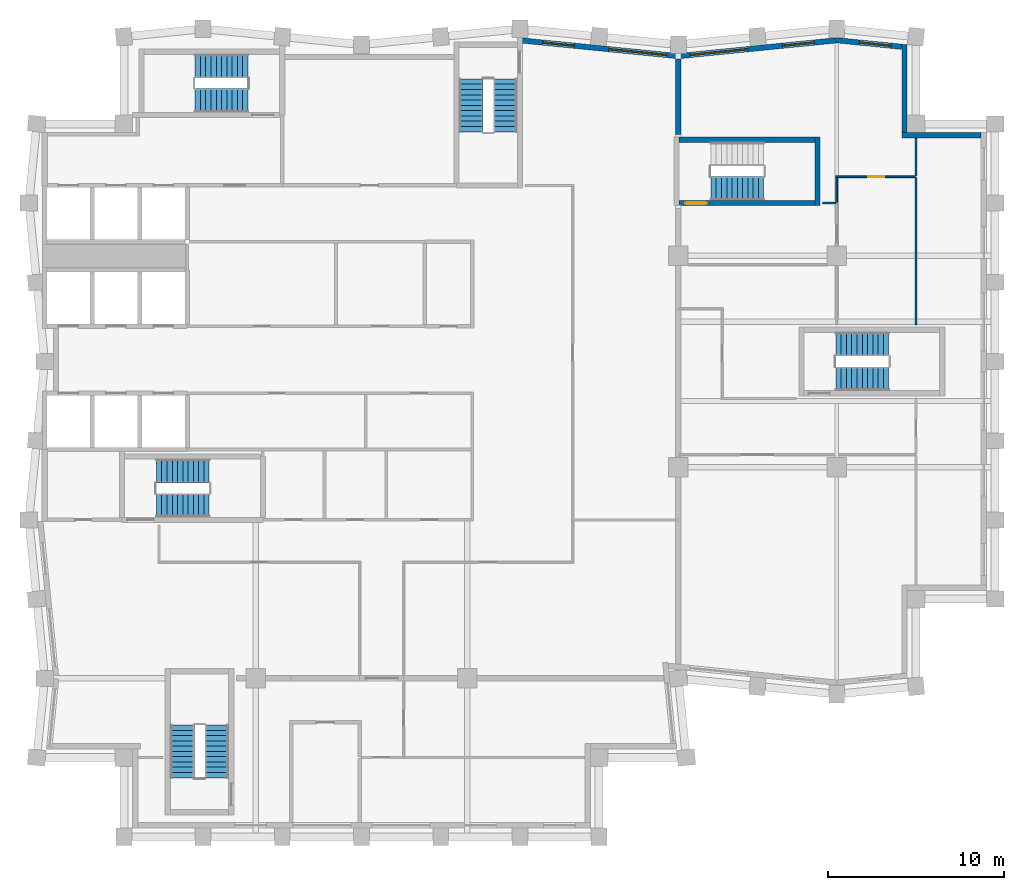
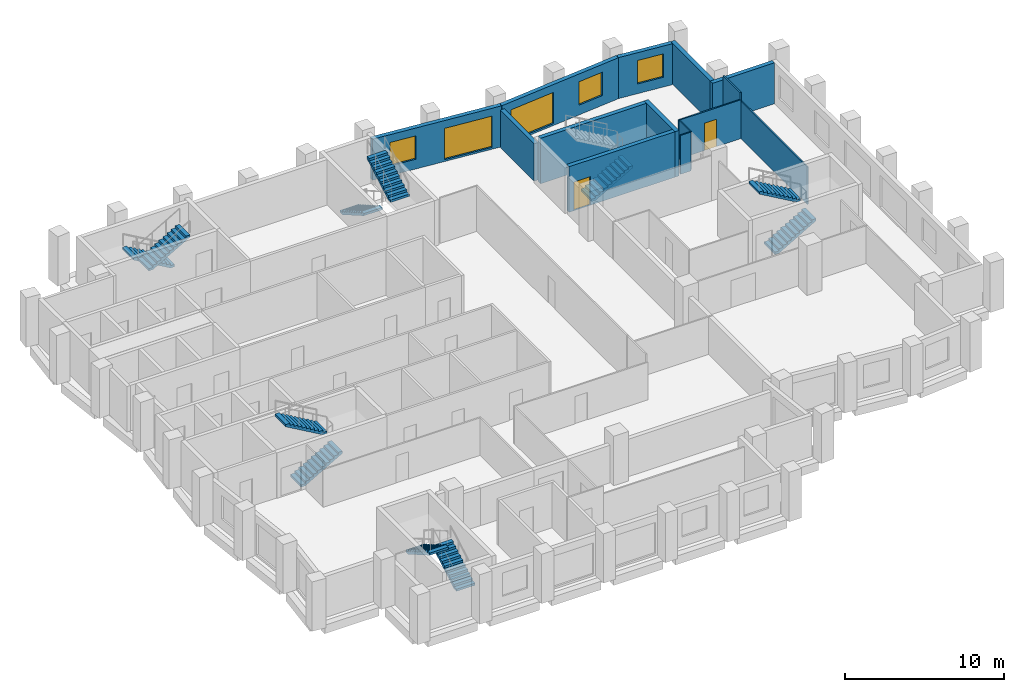
# One storey, part 6 of 8: 14 walls, 11 stair flights, 5 windows, 2 doors, 7 openings, 6 elements without a shape of their own.
"""IFC4 building model written with IfcOpenShell, lengths in metres."""

from ifc_helpers import new_model, si_unit, direction, frame, frame_2d, origin, place, context, subcontext, project, spatial, polyline, rectangle, outline, extrude, material, layer, layer_set, type_object, element, fill, aggregate, save


model = new_model("IFC4")

# Units and contexts
model_context = context("Model", 3, precision=1e-05, world=origin(), true_north=direction((0.0, 1.0)))
body_context = subcontext(model_context, "Body", "Model", "MODEL_VIEW")
ifc_project = project(units=[si_unit("LENGTHUNIT", "METRE"), si_unit("AREAUNIT", "SQUARE_METRE"), si_unit("VOLUMEUNIT", "CUBIC_METRE"), si_unit("PLANEANGLEUNIT", "RADIAN"), si_unit("MASSUNIT", "GRAM", prefix="KILO")], contexts=[model_context])

# Site, building, storey
site_placement = place(None, origin())
site = spatial("IfcSite", under=ifc_project, at=site_placement, CompositionType="ELEMENT")
building_placement = place(site_placement, origin())
building = spatial("IfcBuilding", under=site, at=building_placement, Name="Brondeck Convention Tower", CompositionType="ELEMENT")
storey_placement = place(building_placement, frame((0.0, 0.0, 236.800048828125)))
storey = spatial("IfcBuildingStorey", under=building, at=storey_placement, Name="L58", CompositionType="ELEMENT", Elevation=236.800048828125)

# Walls
ifc_material_1 = material(Name="Concrete compartment wall C30/37", Category="concrete")
ifc_layer_1 = layer(ifc_material_1, 0.300048828125)
ifc_layer_set_1 = layer_set([ifc_layer_1], Name="Compartment wall 300")
wall_type_1 = type_object("IfcWallType", Name="Compartment wall 300", PredefinedType="PARTITIONING", material=ifc_layer_set_1)
wall_1_placement = place(storey_placement, frame((36.0, 57.89990234375, 0.0), z_axis=(0.0, 0.0, 1.0), x_axis=(0.0, 1.0, 0.0)))
element("IfcWall", 1, at=wall_1_placement, inside=storey, type_object=wall_type_1, Name="FLR-L58-W049", PredefinedType="PARTITIONING", context=body_context, shape_type="SweptSolid", body=[
    extrude(rectangle(XDim=4.2763671875, YDim=0.300048828125, at=frame_2d((2.13818359375, 0.0))), origin(), (0.0, 0.0, 1.0), 2.8798828125),
])
ifc_material_2 = material(Name="Precast concrete C50/60 bronze finish", Category="concrete")
ifc_layer_2 = layer(ifc_material_2, 0.070068359375, Name="Bronze precast facing")
ifc_material_3 = material(Name="Mineral wool")
ifc_layer_3 = layer(ifc_material_3, 0.159912109375, Name="Insulation")
ifc_material_4 = material(Name="Concrete C35/45", Category="concrete")
ifc_layer_4 = layer(ifc_material_4, 0.070068359375, Name="Backing")
ifc_layer_set_2 = layer_set([ifc_layer_2, ifc_layer_3, ifc_layer_4], Name="External infill wall, precast concrete C50/60 bronze facing")
wall_type_2 = type_object("IfcWallType", Name="External infill wall, precast concrete C50/60 bronze facing", PredefinedType="SOLIDWALL", material=ifc_layer_set_2)
wall_2_placement = place(storey_placement, frame((48.699951171875, 57.85009765625, 0.0), z_axis=(0.0, 0.0, 1.0), x_axis=(1.0, 0.0, 0.0)))
element("IfcWall", 2, at=wall_2_placement, inside=storey, type_object=wall_type_2, Name="ENV-EW-L58-P2-NC-NEA54-01", PredefinedType="SOLIDWALL", context=body_context, shape_type="SweptSolid", body=[
    extrude(rectangle(XDim=4.501953125, YDim=0.300048828125, at=frame_2d((2.2509765625, 0.0))), origin(), (0.0, 0.0, 1.0), 3.14990234375),
])
wall_3_placement = place(storey_placement, frame((48.85009765625, 62.99755859375, 0.0), z_axis=(0.0, 0.0, 1.0), x_axis=(0.0, -1.0, 0.0)))
element("IfcWall", 3, at=wall_3_placement, inside=storey, type_object=wall_type_2, Name="ENV-EW-L58-P2-NC-NEA54-02", PredefinedType="SOLIDWALL", context=body_context, shape_type="SweptSolid", body=[
    extrude(rectangle(XDim=4.99951171875, YDim=0.300048828125, at=frame_2d((2.499755859375, 0.0))), origin(), (0.0, 0.0, 1.0), 3.14990234375),
])

# Wall, opening, window
wall_4_placement = place(storey_placement, frame((44.985107421875, 63.248291015625, 0.0), z_axis=(0.0, 0.0, 1.0), x_axis=(0.995037837869, -0.099497242219, 0.0)))
wall_4 = element("IfcWall", 4, at=wall_4_placement, inside=storey, type_object=wall_type_2, Name="ENV-EW-L58-P2-A-N-10", PredefinedType="SOLIDWALL", context=body_context, shape_type="SweptSolid", body=[
    extrude(rectangle(XDim=3.732177734375, YDim=0.300048828125, at=frame_2d((1.8662109375, 0.0))), origin(), (0.0, 0.0, 1.0), 3.14990234375),
])
opening_1_placement = place(wall_4_placement, frame((1.311279296875, 0.0, 0.75)))
opening_1 = element("IfcOpeningElement", 5, at=opening_1_placement, cuts=wall_4, Name="Opening W10", PredefinedType="OPENING", context=body_context, shape_type="SweptSolid", body=[
    extrude(rectangle(XDim=1.800048828125, YDim=1.800048828125, at=frame_2d((0.89990234375, 0.89990234375))), frame((0.0, 0.159912109375, 0.0), z_axis=(0.0, -1.0, 0.0), x_axis=(1.0, 0.0, 0.0)), (0.0, 0.0, 1.0), 0.320068359375),
])
ifc_material_5 = material(Name="Bronze tinted double glazing", Category="glass")
window_type_1 = type_object("IfcWindowType", Name="Punched window, bronze tinted", PartitioningType="SINGLE_PANEL", PredefinedType="WINDOW", material=ifc_material_5)
window_1_placement = place(opening_1_placement, origin())
window_1 = element("IfcWindow", 6, at=window_1_placement, inside=storey, type_object=window_type_1, Name="ENV-WN-L58-P2-A-N-10", OverallHeight=1.800048828125, OverallWidth=1.800048828125, PartitioningType="SINGLE_PANEL", PredefinedType="WINDOW", context=body_context, shape_type="SweptSolid", body=[
    extrude(rectangle(XDim=1.800048828125, YDim=1.800048828125, at=frame_2d((0.89990234375, 0.89990234375))), frame((0.0, 0.030029296875, 0.0), z_axis=(0.0, -1.0, 0.0), x_axis=(1.0, 0.0, 0.0)), (0.0, 0.0, 1.0), 0.06005859375),
])
fill(opening_1, window_1)

# Wall, openings, windows
wall_5_placement = place(storey_placement, frame((35.985107421875, 62.34521484375, 0.0), z_axis=(0.0, 0.0, 1.0), x_axis=(0.995035316196, 0.099522457379, 0.0)))
wall_5 = element("IfcWall", 7, at=wall_5_placement, inside=storey, type_object=wall_type_2, Name="ENV-EW-L58-P2-A-N-09", PredefinedType="SOLIDWALL", context=body_context, shape_type="SweptSolid", body=[
    extrude(rectangle(XDim=9.030029296875, YDim=0.300048828125, at=frame_2d((4.51513671875, 0.0))), origin(), (0.0, 0.0, 1.0), 3.14990234375),
])
opening_2_placement = place(wall_5_placement, frame((0.691162109375, 0.0, 0.14990234375)))
opening_2 = element("IfcOpeningElement", 8, at=opening_2_placement, cuts=wall_5, Name="Opening W9", PredefinedType="OPENING", context=body_context, shape_type="SweptSolid", body=[
    extrude(rectangle(XDim=3.300048828125, YDim=2.39990234375, at=frame_2d((1.64990234375, 1.199951171875))), frame((0.0, 0.159912109375, 0.0), z_axis=(0.0, -1.0, 0.0), x_axis=(1.0, 0.0, 0.0)), (0.0, 0.0, 1.0), 0.320068359375),
])
opening_3_placement = place(wall_5_placement, frame((5.963623046875, 0.0, 0.75)))
opening_3 = element("IfcOpeningElement", 9, at=opening_3_placement, cuts=wall_5, Name="Opening W10", PredefinedType="OPENING", context=body_context, shape_type="SweptSolid", body=[
    extrude(rectangle(XDim=1.800048828125, YDim=1.800048828125, at=frame_2d((0.89990234375, 0.89990234375))), frame((0.0, 0.159912109375, 0.0), z_axis=(0.0, -1.0, 0.0), x_axis=(1.0, 0.0, 0.0)), (0.0, 0.0, 1.0), 0.320068359375),
])
window_type_2 = type_object("IfcWindowType", Name="Glazed flute window, bronze tinted", PartitioningType="SINGLE_PANEL", PredefinedType="WINDOW", material=ifc_material_5)
window_2_placement = place(opening_2_placement, origin())
window_2 = element("IfcWindow", 10, at=window_2_placement, inside=storey, type_object=window_type_2, Name="ENV-WN-L58-P2-A-N-08", OverallHeight=2.39990234375, OverallWidth=3.300048828125, PartitioningType="SINGLE_PANEL", PredefinedType="WINDOW", context=body_context, shape_type="SweptSolid", body=[
    extrude(rectangle(XDim=3.300048828125, YDim=2.39990234375, at=frame_2d((1.64990234375, 1.199951171875))), frame((0.0, 0.030029296875, 0.0), z_axis=(0.0, -1.0, 0.0), x_axis=(1.0, 0.0, 0.0)), (0.0, 0.0, 1.0), 0.06005859375),
])
fill(opening_2, window_2)
window_3_placement = place(opening_3_placement, origin())
window_3 = element("IfcWindow", 11, at=window_3_placement, inside=storey, type_object=window_type_1, Name="ENV-WN-L58-P2-A-N-09", OverallHeight=1.800048828125, OverallWidth=1.800048828125, PartitioningType="SINGLE_PANEL", PredefinedType="WINDOW", context=body_context, shape_type="SweptSolid", body=[
    extrude(rectangle(XDim=1.800048828125, YDim=1.800048828125, at=frame_2d((0.89990234375, 0.89990234375))), frame((0.0, 0.030029296875, 0.0), z_axis=(0.0, -1.0, 0.0), x_axis=(1.0, 0.0, 0.0)), (0.0, 0.0, 1.0), 0.06005859375),
])
fill(opening_3, window_3)

wall_6_placement = place(storey_placement, frame((27.084716796875, 63.23828125, 0.0), z_axis=(0.0, 0.0, 1.0), x_axis=(0.995035836657, -0.099517253618, 0.0)))
wall_6 = element("IfcWall", 12, at=wall_6_placement, inside=storey, type_object=wall_type_2, Name="ENV-EW-L58-P2-A-N-07", PredefinedType="SOLIDWALL", context=body_context, shape_type="SweptSolid", body=[
    extrude(rectangle(XDim=8.929931640625, YDim=0.300048828125, at=frame_2d((4.46484375, 0.0))), origin(), (0.0, 0.0, 1.0), 3.14990234375),
])
opening_4_placement = place(wall_6_placement, frame((1.211181640625, 0.0, 0.75)))
opening_4 = element("IfcOpeningElement", 13, at=opening_4_placement, cuts=wall_6, Name="Opening W10", PredefinedType="OPENING", context=body_context, shape_type="SweptSolid", body=[
    extrude(rectangle(XDim=1.800048828125, YDim=1.800048828125, at=frame_2d((0.89990234375, 0.89990234375))), frame((0.0, 0.159912109375, 0.0), z_axis=(0.0, -1.0, 0.0), x_axis=(1.0, 0.0, 0.0)), (0.0, 0.0, 1.0), 0.320068359375),
])
opening_5_placement = place(wall_6_placement, frame((4.983642578125, 0.0, 0.14990234375)))
opening_5 = element("IfcOpeningElement", 14, at=opening_5_placement, cuts=wall_6, Name="Opening W9", PredefinedType="OPENING", context=body_context, shape_type="SweptSolid", body=[
    extrude(rectangle(XDim=3.300048828125, YDim=2.39990234375, at=frame_2d((1.64990234375, 1.199951171875))), frame((0.0, 0.159912109375, 0.0), z_axis=(0.0, -1.0, 0.0), x_axis=(1.0, 0.0, 0.0)), (0.0, 0.0, 1.0), 0.320068359375),
])
window_4_placement = place(opening_5_placement, origin())
window_4 = element("IfcWindow", 15, at=window_4_placement, inside=storey, type_object=window_type_2, Name="ENV-WN-L58-P2-A-N-07", OverallHeight=2.39990234375, OverallWidth=3.300048828125, PartitioningType="SINGLE_PANEL", PredefinedType="WINDOW", context=body_context, shape_type="SweptSolid", body=[
    extrude(rectangle(XDim=3.300048828125, YDim=2.39990234375, at=frame_2d((1.64990234375, 1.199951171875))), frame((0.0, 0.030029296875, 0.0), z_axis=(0.0, -1.0, 0.0), x_axis=(1.0, 0.0, 0.0)), (0.0, 0.0, 1.0), 0.06005859375),
])
fill(opening_5, window_4)
window_5_placement = place(opening_4_placement, origin())
window_5 = element("IfcWindow", 16, at=window_5_placement, inside=storey, type_object=window_type_1, Name="ENV-WN-L58-P2-A-N-06", OverallHeight=1.800048828125, OverallWidth=1.800048828125, PartitioningType="SINGLE_PANEL", PredefinedType="WINDOW", context=body_context, shape_type="SweptSolid", body=[
    extrude(rectangle(XDim=1.800048828125, YDim=1.800048828125, at=frame_2d((0.89990234375, 0.89990234375))), frame((0.0, 0.030029296875, 0.0), z_axis=(0.0, -1.0, 0.0), x_axis=(1.0, 0.0, 0.0)), (0.0, 0.0, 1.0), 0.06005859375),
])
fill(opening_4, window_5)

# Walls
ifc_material_6 = material(Name="Gypsum board partition on steel studs", Category="steel")
ifc_layer_5 = layer(ifc_material_6, 0.10009765625)
ifc_layer_set_3 = layer_set([ifc_layer_5], Name="Room partition 100")
wall_type_3 = type_object("IfcWallType", Name="Room partition 100", PredefinedType="PARTITIONING", material=ifc_layer_set_3)
wall_7_placement = place(storey_placement, frame((49.5, 47.10009765625, 0.0), z_axis=(0.0, 0.0, 1.0), x_axis=(0.0, 1.0, 0.0)))
element("IfcWall", 17, at=wall_7_placement, inside=storey, type_object=wall_type_3, Name="FLR-L58-W035", PredefinedType="PARTITIONING", context=body_context, shape_type="SweptSolid", body=[
    extrude(rectangle(XDim=8.349853515625, YDim=0.10009765625, at=frame_2d((4.1748046875, 0.0))), origin(), (0.0, 0.0, 1.0), 2.8798828125),
])
wall_8_placement = place(storey_placement, frame((44.199951171875, 54.0, 0.0), z_axis=(0.0, 0.0, 1.0), x_axis=(1.0, 0.0, 0.0)))
element("IfcWall", 18, at=wall_8_placement, inside=storey, type_object=wall_type_3, Name="FLR-L58-W043", PredefinedType="PARTITIONING", context=body_context, shape_type="SweptSolid", body=[
    extrude(rectangle(XDim=0.75, YDim=0.10009765625, at=frame_2d((0.375, 0.0))), origin(), (0.0, 0.0, 1.0), 2.97998046875),
])
wall_9_placement = place(storey_placement, frame((45.0, 54.050048828125, 0.0), z_axis=(0.0, 0.0, 1.0), x_axis=(0.0, 1.0, 0.0)))
element("IfcWall", 19, at=wall_9_placement, inside=storey, type_object=wall_type_3, Name="FLR-L58-W044", PredefinedType="PARTITIONING", context=body_context, shape_type="SweptSolid", body=[
    extrude(rectangle(XDim=1.39990234375, YDim=0.10009765625, at=frame_2d((0.699951171875, 0.0))), origin(), (0.0, 0.0, 1.0), 2.97998046875),
])

# Wall, opening, door
wall_10_placement = place(storey_placement, frame((44.949951171875, 55.5, 0.0), z_axis=(0.0, 0.0, 1.0), x_axis=(1.0, 0.0, 0.0)))
wall_10 = element("IfcWall", 20, at=wall_10_placement, inside=storey, type_object=wall_type_3, Name="FLR-L58-W047", PredefinedType="PARTITIONING", context=body_context, shape_type="SweptSolid", body=[
    extrude(rectangle(XDim=4.5, YDim=0.10009765625, at=frame_2d((2.25, 0.0))), origin(), (0.0, 0.0, 1.0), 2.97998046875),
])
opening_6_placement = place(wall_10_placement, frame((1.85009765625, 0.0, 0.0)))
opening_6 = element("IfcOpeningElement", 21, at=opening_6_placement, cuts=wall_10, Name="Opening OF-N-006", PredefinedType="OPENING", context=body_context, shape_type="SweptSolid", body=[
    extrude(rectangle(XDim=0.89990234375, YDim=2.10009765625, at=frame_2d((0.449951171875, 1.050048828125))), frame((0.0, 0.06005859375, 0.0), z_axis=(0.0, -1.0, 0.0), x_axis=(1.0, 0.0, 0.0)), (0.0, 0.0, 1.0), 0.1201171875),
])
ifc_material_7 = material(Name="Solid timber door leaf", Category="wood")
door_type_1 = type_object("IfcDoorType", Name="Single door 900", OperationType="NOTDEFINED", PredefinedType="DOOR", material=ifc_material_7)
door_1_placement = place(opening_6_placement, origin())
door_1 = element("IfcDoor", 22, at=door_1_placement, inside=storey, type_object=door_type_1, Name="Door OF-N-006", OperationType="SINGLE_SWING_LEFT", OverallHeight=2.10009765625, OverallWidth=0.89990234375, PredefinedType="DOOR", context=body_context, shape_type="SweptSolid", body=[
    extrude(rectangle(XDim=0.89990234375, YDim=2.10009765625, at=frame_2d((0.449951171875, 1.050048828125))), frame((0.0, 0.02490234375, 0.0), z_axis=(0.0, -1.0, 0.0), x_axis=(1.0, 0.0, 0.0)), (0.0, 0.0, 1.0), 0.050048828125),
])
fill(opening_6, door_1)

# Wall
wall_11_placement = place(storey_placement, frame((49.5, 55.550048828125, 0.0), z_axis=(0.0, 0.0, 1.0), x_axis=(0.0, 1.0, 0.0)))
element("IfcWall", 23, at=wall_11_placement, inside=storey, type_object=wall_type_3, Name="FLR-L58-W048", PredefinedType="PARTITIONING", context=body_context, shape_type="SweptSolid", body=[
    extrude(rectangle(XDim=2.1298828125, YDim=0.10009765625, at=frame_2d((1.06494140625, 0.0))), origin(), (0.0, 0.0, 1.0), 3.47998046875),
])

# Wall, opening, door
ifc_material_8 = material(Name="Concrete C50/60", Category="concrete")
ifc_layer_6 = layer(ifc_material_8, 0.300048828125)
ifc_layer_set_4 = layer_set([ifc_layer_6], Name="Stair enclosure wall 300 Concrete C50/60")
wall_type_4 = type_object("IfcWallType", Name="Stair enclosure wall 300 Concrete C50/60", PredefinedType="SHEAR", material=ifc_layer_set_4)
wall_12_placement = place(storey_placement, frame((36.050048828125, 54.0, 0.0), z_axis=(0.0, 0.0, 1.0), x_axis=(1.0, 0.0, 0.0)))
wall_12 = element("IfcWall", 24, at=wall_12_placement, inside=storey, type_object=wall_type_4, Name="L58 core wall", PredefinedType="SHEAR", context=body_context, shape_type="SweptSolid", body=[
    extrude(rectangle(XDim=7.699951171875, YDim=0.300048828125, at=frame_2d((3.85009765625, 0.0))), origin(), (0.0, 0.0, 1.0), 3.5),
])
opening_7_placement = place(wall_12_placement, frame((0.35009765625, 0.0, 0.0)))
opening_7 = element("IfcOpeningElement", 25, at=opening_7_placement, cuts=wall_12, Name="Opening C31-15", PredefinedType="OPENING", context=body_context, shape_type="SweptSolid", body=[
    extrude(rectangle(XDim=1.199951171875, YDim=2.199951171875, at=frame_2d((0.60009765625, 1.10009765625))), frame((0.0, 0.159912109375, 0.0), z_axis=(0.0, -1.0, 0.0), x_axis=(1.0, 0.0, 0.0)), (0.0, 0.0, 1.0), 0.320068359375),
])
ifc_material_9 = material(Name="Steel fire door", Category="steel")
door_type_2 = type_object("IfcDoorType", Name="Stair door 1200x2200 EI 90", OperationType="NOTDEFINED", PredefinedType="DOOR", material=ifc_material_9)
door_2_placement = place(opening_7_placement, origin())
door_2 = element("IfcDoor", 26, at=door_2_placement, inside=storey, type_object=door_type_2, Name="L58 Stair door ST-AE", OperationType="SINGLE_SWING_LEFT", OverallHeight=2.199951171875, OverallWidth=1.199951171875, PredefinedType="DOOR", context=body_context, shape_type="SweptSolid", body=[
    extrude(rectangle(XDim=1.199951171875, YDim=2.199951171875, at=frame_2d((0.60009765625, 1.10009765625))), frame((0.0, 0.02490234375, 0.0), z_axis=(0.0, -1.0, 0.0), x_axis=(1.0, 0.0, 0.0)), (0.0, 0.0, 1.0), 0.050048828125),
])
fill(opening_7, door_2)

# Walls
wall_13_placement = place(storey_placement, frame((36.050048828125, 57.60009765625, 0.0), z_axis=(0.0, 0.0, 1.0), x_axis=(1.0, 0.0, 0.0)))
element("IfcWall", 27, at=wall_13_placement, inside=storey, type_object=wall_type_4, Name="L58 core wall", PredefinedType="SHEAR", context=body_context, shape_type="SweptSolid", body=[
    extrude(rectangle(XDim=7.699951171875, YDim=0.300048828125, at=frame_2d((3.85009765625, 0.0))), origin(), (0.0, 0.0, 1.0), 3.5),
])
wall_14_placement = place(storey_placement, frame((43.89990234375, 53.85009765625, 0.0), z_axis=(0.0, 0.0, 1.0), x_axis=(0.0, 1.0, 0.0)))
element("IfcWall", 28, at=wall_14_placement, inside=storey, type_object=wall_type_4, Name="L58 core wall", PredefinedType="SHEAR", context=body_context, shape_type="SweptSolid", body=[
    extrude(rectangle(XDim=3.89990234375, YDim=0.300048828125, at=frame_2d((1.949951171875, 0.0))), origin(), (0.0, 0.0, 1.0), 3.5),
])

# Stair, stair flights
ifc_material_10 = material(Name="Precast concrete C50/60", Category="concrete")
stair_type = type_object("IfcStairType", Name="Core stair 22 risers 172.73 mm riser 300 mm going 1350 wide", PredefinedType="HALF_TURN_STAIR", material=ifc_material_10)
stair_1_placement = place(storey_placement, origin())
stair_1 = element("IfcStair", 29, at=stair_1_placement, inside=storey, type_object=stair_type, Name="ST-1 L58 stair", PredefinedType="HALF_TURN_STAIR")
stair_flight_type = type_object("IfcStairFlightType", Name="Core stair flight 22 risers 172.73 mm riser 300 mm going 1350 wide", PredefinedType="STRAIGHT", material=ifc_material_10)
stair_flight_1_placement = place(storey_placement, frame((6.35009765625, 36.824951171875, 0.0), z_axis=(0.0, 0.0, 1.0), x_axis=(1.0, 0.0, 0.0)))
stair_flight_1 = element("IfcStairFlight", 30, at=stair_flight_1_placement, type_object=stair_flight_type, Name="ST-1 flight 1", NumberOfRisers=11, NumberOfTreads=10, PredefinedType="STRAIGHT", RiserHeight=0.172727273, TreadLength=0.3, context=body_context, shape_type="SweptSolid", body=[
    extrude(outline(polyline([(0.0, 0.0), (0.0, 0.172607421875), (0.300048828125, 0.172607421875), (0.300048828125, 0.345458984375), (0.60009765625, 0.345458984375), (0.60009765625, 0.51806640625), (0.89990234375, 0.51806640625), (0.89990234375, 0.69091796875), (1.199951171875, 0.69091796875), (1.199951171875, 0.863525390625), (1.5, 0.863525390625), (1.5, 1.036376953125), (1.800048828125, 1.036376953125), (1.800048828125, 1.208984375), (2.10009765625, 1.208984375), (2.10009765625, 1.3818359375), (2.39990234375, 1.3818359375), (2.39990234375, 1.554443359375), (2.699951171875, 1.554443359375), (2.699951171875, 1.727294921875), (3.0, 1.727294921875), (3.0, 1.89990234375), (3.0, 1.55419921875), (0.300537109375, 0.0), (0.0, 0.0)])), frame((0.0, 0.675048828125, 0.0), z_axis=(0.0, -1.0, 0.0), x_axis=(1.0, 0.0, 0.0)), (0.0, 0.0, 1.0), 1.35009765625),
])
stair_flight_2_placement = place(storey_placement, frame((9.35009765625, 38.77490234375, 1.89990234375), z_axis=(0.0, 0.0, 1.0), x_axis=(-1.0, 0.0, 0.0)))
stair_flight_2 = element("IfcStairFlight", 31, at=stair_flight_2_placement, type_object=stair_flight_type, Name="ST-1 flight 2", NumberOfRisers=11, NumberOfTreads=10, PredefinedType="STRAIGHT", RiserHeight=0.172727273, TreadLength=0.3, context=body_context, shape_type="SweptSolid", body=[
    extrude(outline(polyline([(0.0, 0.0), (0.0, 0.172607421875), (0.300048828125, 0.172607421875), (0.300048828125, 0.345458984375), (0.60009765625, 0.345458984375), (0.60009765625, 0.51806640625), (0.89990234375, 0.51806640625), (0.89990234375, 0.69091796875), (1.199951171875, 0.69091796875), (1.199951171875, 0.863525390625), (1.5, 0.863525390625), (1.5, 1.036376953125), (1.800048828125, 1.036376953125), (1.800048828125, 1.208984375), (2.10009765625, 1.208984375), (2.10009765625, 1.3818359375), (2.39990234375, 1.3818359375), (2.39990234375, 1.554443359375), (2.699951171875, 1.554443359375), (2.699951171875, 1.727294921875), (3.0, 1.727294921875), (3.0, 1.89990234375), (3.0, 1.55419921875), (0.300537109375, 0.0), (0.0, 0.0)])), frame((0.0, 0.675048828125, 0.0), z_axis=(0.0, -1.0, 0.0), x_axis=(1.0, 0.0, 0.0)), (0.0, 0.0, 1.0), 1.35009765625),
])
aggregate(stair_1, [stair_flight_1, stair_flight_2])

stair_2_placement = place(storey_placement, origin())
stair_2 = element("IfcStair", 32, at=stair_2_placement, inside=storey, type_object=stair_type, Name="ST-2 L58 stair", PredefinedType="HALF_TURN_STAIR")
stair_flight_3_placement = place(storey_placement, frame((24.22509765625, 61.050048828125, 0.0), z_axis=(0.0, 0.0, 1.0), x_axis=(0.0, -1.0, 0.0)))
stair_flight_3 = element("IfcStairFlight", 33, at=stair_flight_3_placement, type_object=stair_flight_type, Name="ST-2 flight 1", NumberOfRisers=11, NumberOfTreads=10, PredefinedType="STRAIGHT", RiserHeight=0.172727273, TreadLength=0.3, context=body_context, shape_type="SweptSolid", body=[
    extrude(outline(polyline([(0.0, 0.0), (0.0, 0.172607421875), (0.300048828125, 0.172607421875), (0.300048828125, 0.345458984375), (0.60009765625, 0.345458984375), (0.60009765625, 0.51806640625), (0.89990234375, 0.51806640625), (0.89990234375, 0.69091796875), (1.199951171875, 0.69091796875), (1.199951171875, 0.863525390625), (1.5, 0.863525390625), (1.5, 1.036376953125), (1.800048828125, 1.036376953125), (1.800048828125, 1.208984375), (2.10009765625, 1.208984375), (2.10009765625, 1.3818359375), (2.39990234375, 1.3818359375), (2.39990234375, 1.554443359375), (2.699951171875, 1.554443359375), (2.699951171875, 1.727294921875), (3.0, 1.727294921875), (3.0, 1.89990234375), (3.0, 1.55419921875), (0.300537109375, 0.0), (0.0, 0.0)])), frame((0.0, 0.675048828125, 0.0), z_axis=(0.0, -1.0, 0.0), x_axis=(1.0, 0.0, 0.0)), (0.0, 0.0, 1.0), 1.35009765625),
])
stair_flight_4_placement = place(storey_placement, frame((26.175048828125, 58.050048828125, 1.89990234375), z_axis=(0.0, 0.0, 1.0), x_axis=(0.0, 1.0, 0.0)))
stair_flight_4 = element("IfcStairFlight", 34, at=stair_flight_4_placement, type_object=stair_flight_type, Name="ST-2 flight 2", NumberOfRisers=11, NumberOfTreads=10, PredefinedType="STRAIGHT", RiserHeight=0.172727273, TreadLength=0.3, context=body_context, shape_type="SweptSolid", body=[
    extrude(outline(polyline([(0.0, 0.0), (0.0, 0.172607421875), (0.300048828125, 0.172607421875), (0.300048828125, 0.345458984375), (0.60009765625, 0.345458984375), (0.60009765625, 0.51806640625), (0.89990234375, 0.51806640625), (0.89990234375, 0.69091796875), (1.199951171875, 0.69091796875), (1.199951171875, 0.863525390625), (1.5, 0.863525390625), (1.5, 1.036376953125), (1.800048828125, 1.036376953125), (1.800048828125, 1.208984375), (2.10009765625, 1.208984375), (2.10009765625, 1.3818359375), (2.39990234375, 1.3818359375), (2.39990234375, 1.554443359375), (2.699951171875, 1.554443359375), (2.699951171875, 1.727294921875), (3.0, 1.727294921875), (3.0, 1.89990234375), (3.0, 1.55419921875), (0.300537109375, 0.0), (0.0, 0.0)])), frame((0.0, 0.675048828125, 0.0), z_axis=(0.0, -1.0, 0.0), x_axis=(1.0, 0.0, 0.0)), (0.0, 0.0, 1.0), 1.35009765625),
])
aggregate(stair_2, [stair_flight_3, stair_flight_4])

stair_3_placement = place(storey_placement, origin())
stair_3 = element("IfcStair", 35, at=stair_3_placement, inside=storey, type_object=stair_type, Name="ST-3 L58 stair", PredefinedType="HALF_TURN_STAIR")
stair_flight_5_placement = place(storey_placement, frame((11.550048828125, 61.77490234375, 0.0), z_axis=(0.0, 0.0, 1.0), x_axis=(-1.0, 0.0, 0.0)))
stair_flight_5 = element("IfcStairFlight", 36, at=stair_flight_5_placement, type_object=stair_flight_type, Name="ST-3 flight 1", NumberOfRisers=11, NumberOfTreads=10, PredefinedType="STRAIGHT", RiserHeight=0.172727273, TreadLength=0.3, context=body_context, shape_type="SweptSolid", body=[
    extrude(outline(polyline([(0.0, 0.0), (0.0, 0.172607421875), (0.300048828125, 0.172607421875), (0.300048828125, 0.345458984375), (0.60009765625, 0.345458984375), (0.60009765625, 0.51806640625), (0.89990234375, 0.51806640625), (0.89990234375, 0.69091796875), (1.199951171875, 0.69091796875), (1.199951171875, 0.863525390625), (1.5, 0.863525390625), (1.5, 1.036376953125), (1.800048828125, 1.036376953125), (1.800048828125, 1.208984375), (2.10009765625, 1.208984375), (2.10009765625, 1.3818359375), (2.39990234375, 1.3818359375), (2.39990234375, 1.554443359375), (2.699951171875, 1.554443359375), (2.699951171875, 1.727294921875), (3.0, 1.727294921875), (3.0, 1.89990234375), (3.0, 1.55419921875), (0.300537109375, 0.0), (0.0, 0.0)])), frame((0.0, 0.675048828125, 0.0), z_axis=(0.0, -1.0, 0.0), x_axis=(1.0, 0.0, 0.0)), (0.0, 0.0, 1.0), 1.35009765625),
])
stair_flight_6_placement = place(storey_placement, frame((8.550048828125, 59.824951171875, 1.89990234375), z_axis=(0.0, 0.0, 1.0), x_axis=(1.0, 0.0, 0.0)))
stair_flight_6 = element("IfcStairFlight", 37, at=stair_flight_6_placement, type_object=stair_flight_type, Name="ST-3 flight 2", NumberOfRisers=11, NumberOfTreads=10, PredefinedType="STRAIGHT", RiserHeight=0.172727273, TreadLength=0.3, context=body_context, shape_type="SweptSolid", body=[
    extrude(outline(polyline([(0.0, 0.0), (0.0, 0.172607421875), (0.300048828125, 0.172607421875), (0.300048828125, 0.345458984375), (0.60009765625, 0.345458984375), (0.60009765625, 0.51806640625), (0.89990234375, 0.51806640625), (0.89990234375, 0.69091796875), (1.199951171875, 0.69091796875), (1.199951171875, 0.863525390625), (1.5, 0.863525390625), (1.5, 1.036376953125), (1.800048828125, 1.036376953125), (1.800048828125, 1.208984375), (2.10009765625, 1.208984375), (2.10009765625, 1.3818359375), (2.39990234375, 1.3818359375), (2.39990234375, 1.554443359375), (2.699951171875, 1.554443359375), (2.699951171875, 1.727294921875), (3.0, 1.727294921875), (3.0, 1.89990234375), (3.0, 1.55419921875), (0.300537109375, 0.0), (0.0, 0.0)])), frame((0.0, 0.675048828125, 0.0), z_axis=(0.0, -1.0, 0.0), x_axis=(1.0, 0.0, 0.0)), (0.0, 0.0, 1.0), 1.35009765625),
])
aggregate(stair_3, [stair_flight_5, stair_flight_6])

# Stair, stair flight
stair_4_placement = place(storey_placement, origin())
stair_4 = element("IfcStair", 38, at=stair_4_placement, inside=storey, type_object=stair_type, Name="ST-AE L58 stair", PredefinedType="HALF_TURN_STAIR")
stair_flight_7_placement = place(storey_placement, frame((37.85009765625, 54.824951171875, 0.0), z_axis=(0.0, 0.0, 1.0), x_axis=(1.0, 0.0, 0.0)))
stair_flight_7 = element("IfcStairFlight", 39, at=stair_flight_7_placement, type_object=stair_flight_type, Name="ST-AE flight 1", NumberOfRisers=11, NumberOfTreads=10, PredefinedType="STRAIGHT", RiserHeight=0.172727273, TreadLength=0.3, context=body_context, shape_type="SweptSolid", body=[
    extrude(outline(polyline([(0.0, 0.0), (0.0, 0.172607421875), (0.300048828125, 0.172607421875), (0.300048828125, 0.345458984375), (0.60009765625, 0.345458984375), (0.60009765625, 0.51806640625), (0.89990234375, 0.51806640625), (0.89990234375, 0.69091796875), (1.199951171875, 0.69091796875), (1.199951171875, 0.863525390625), (1.5, 0.863525390625), (1.5, 1.036376953125), (1.800048828125, 1.036376953125), (1.800048828125, 1.208984375), (2.10009765625, 1.208984375), (2.10009765625, 1.3818359375), (2.39990234375, 1.3818359375), (2.39990234375, 1.554443359375), (2.699951171875, 1.554443359375), (2.699951171875, 1.727294921875), (3.0, 1.727294921875), (3.0, 1.89990234375), (3.0, 1.55419921875), (0.300537109375, 0.0), (0.0, 0.0)])), frame((0.0, 0.675048828125, 0.0), z_axis=(0.0, -1.0, 0.0), x_axis=(1.0, 0.0, 0.0)), (0.0, 0.0, 1.0), 1.35009765625),
])
aggregate(stair_4, [stair_flight_7])

# Stair, stair flights
stair_5_placement = place(storey_placement, origin())
stair_5 = element("IfcStair", 40, at=stair_5_placement, inside=storey, type_object=stair_type, Name="ST-BE L58 stair", PredefinedType="HALF_TURN_STAIR")
stair_flight_8_placement = place(storey_placement, frame((9.77490234375, 21.35009765625, 0.0), z_axis=(0.0, 0.0, 1.0), x_axis=(0.0, 1.0, 0.0)))
stair_flight_8 = element("IfcStairFlight", 41, at=stair_flight_8_placement, type_object=stair_flight_type, Name="ST-BE flight 1", NumberOfRisers=11, NumberOfTreads=10, PredefinedType="STRAIGHT", RiserHeight=0.172727273, TreadLength=0.3, context=body_context, shape_type="SweptSolid", body=[
    extrude(outline(polyline([(0.0, 0.0), (0.0, 0.172607421875), (0.300048828125, 0.172607421875), (0.300048828125, 0.345458984375), (0.60009765625, 0.345458984375), (0.60009765625, 0.51806640625), (0.89990234375, 0.51806640625), (0.89990234375, 0.69091796875), (1.199951171875, 0.69091796875), (1.199951171875, 0.863525390625), (1.5, 0.863525390625), (1.5, 1.036376953125), (1.800048828125, 1.036376953125), (1.800048828125, 1.208984375), (2.10009765625, 1.208984375), (2.10009765625, 1.3818359375), (2.39990234375, 1.3818359375), (2.39990234375, 1.554443359375), (2.699951171875, 1.554443359375), (2.699951171875, 1.727294921875), (3.0, 1.727294921875), (3.0, 1.89990234375), (3.0, 1.55419921875), (0.300537109375, 0.0), (0.0, 0.0)])), frame((0.0, 0.675048828125, 0.0), z_axis=(0.0, -1.0, 0.0), x_axis=(1.0, 0.0, 0.0)), (0.0, 0.0, 1.0), 1.35009765625),
])
stair_flight_9_placement = place(storey_placement, frame((7.824951171875, 24.35009765625, 1.89990234375), z_axis=(0.0, 0.0, 1.0), x_axis=(0.0, -1.0, 0.0)))
stair_flight_9 = element("IfcStairFlight", 42, at=stair_flight_9_placement, type_object=stair_flight_type, Name="ST-BE flight 2", NumberOfRisers=11, NumberOfTreads=10, PredefinedType="STRAIGHT", RiserHeight=0.172727273, TreadLength=0.3, context=body_context, shape_type="SweptSolid", body=[
    extrude(outline(polyline([(0.0, 0.0), (0.0, 0.172607421875), (0.300048828125, 0.172607421875), (0.300048828125, 0.345458984375), (0.60009765625, 0.345458984375), (0.60009765625, 0.51806640625), (0.89990234375, 0.51806640625), (0.89990234375, 0.69091796875), (1.199951171875, 0.69091796875), (1.199951171875, 0.863525390625), (1.5, 0.863525390625), (1.5, 1.036376953125), (1.800048828125, 1.036376953125), (1.800048828125, 1.208984375), (2.10009765625, 1.208984375), (2.10009765625, 1.3818359375), (2.39990234375, 1.3818359375), (2.39990234375, 1.554443359375), (2.699951171875, 1.554443359375), (2.699951171875, 1.727294921875), (3.0, 1.727294921875), (3.0, 1.89990234375), (3.0, 1.55419921875), (0.300537109375, 0.0), (0.0, 0.0)])), frame((0.0, 0.675048828125, 0.0), z_axis=(0.0, -1.0, 0.0), x_axis=(1.0, 0.0, 0.0)), (0.0, 0.0, 1.0), 1.35009765625),
])
aggregate(stair_5, [stair_flight_8, stair_flight_9])

stair_6_placement = place(storey_placement, origin())
stair_6 = element("IfcStair", 43, at=stair_6_placement, inside=storey, type_object=stair_type, Name="ST-AF L58 stair", PredefinedType="HALF_TURN_STAIR")
stair_flight_10_placement = place(storey_placement, frame((44.949951171875, 44.02490234375, 0.0), z_axis=(0.0, 0.0, 1.0), x_axis=(1.0, 0.0, 0.0)))
stair_flight_10 = element("IfcStairFlight", 44, at=stair_flight_10_placement, type_object=stair_flight_type, Name="ST-AF flight 1", NumberOfRisers=11, NumberOfTreads=10, PredefinedType="STRAIGHT", RiserHeight=0.172727273, TreadLength=0.3, context=body_context, shape_type="SweptSolid", body=[
    extrude(outline(polyline([(0.0, 0.0), (0.0, 0.172607421875), (0.300048828125, 0.172607421875), (0.300048828125, 0.345458984375), (0.60009765625, 0.345458984375), (0.60009765625, 0.51806640625), (0.89990234375, 0.51806640625), (0.89990234375, 0.69091796875), (1.199951171875, 0.69091796875), (1.199951171875, 0.863525390625), (1.5, 0.863525390625), (1.5, 1.036376953125), (1.800048828125, 1.036376953125), (1.800048828125, 1.208984375), (2.10009765625, 1.208984375), (2.10009765625, 1.3818359375), (2.39990234375, 1.3818359375), (2.39990234375, 1.554443359375), (2.699951171875, 1.554443359375), (2.699951171875, 1.727294921875), (3.0, 1.727294921875), (3.0, 1.89990234375), (3.0, 1.55419921875), (0.300537109375, 0.0), (0.0, 0.0)])), frame((0.0, 0.675048828125, 0.0), z_axis=(0.0, -1.0, 0.0), x_axis=(1.0, 0.0, 0.0)), (0.0, 0.0, 1.0), 1.35009765625),
])
stair_flight_11_placement = place(storey_placement, frame((47.949951171875, 45.97509765625, 1.89990234375), z_axis=(0.0, 0.0, 1.0), x_axis=(-1.0, 0.0, 0.0)))
stair_flight_11 = element("IfcStairFlight", 45, at=stair_flight_11_placement, type_object=stair_flight_type, Name="ST-AF flight 2", NumberOfRisers=11, NumberOfTreads=10, PredefinedType="STRAIGHT", RiserHeight=0.172727273, TreadLength=0.3, context=body_context, shape_type="SweptSolid", body=[
    extrude(outline(polyline([(0.0, 0.0), (0.0, 0.172607421875), (0.300048828125, 0.172607421875), (0.300048828125, 0.345458984375), (0.60009765625, 0.345458984375), (0.60009765625, 0.51806640625), (0.89990234375, 0.51806640625), (0.89990234375, 0.69091796875), (1.199951171875, 0.69091796875), (1.199951171875, 0.863525390625), (1.5, 0.863525390625), (1.5, 1.036376953125), (1.800048828125, 1.036376953125), (1.800048828125, 1.208984375), (2.10009765625, 1.208984375), (2.10009765625, 1.3818359375), (2.39990234375, 1.3818359375), (2.39990234375, 1.554443359375), (2.699951171875, 1.554443359375), (2.699951171875, 1.727294921875), (3.0, 1.727294921875), (3.0, 1.89990234375), (3.0, 1.55419921875), (0.300537109375, 0.0), (0.0, 0.0)])), frame((0.0, 0.675048828125, 0.0), z_axis=(0.0, -1.0, 0.0), x_axis=(1.0, 0.0, 0.0)), (0.0, 0.0, 1.0), 1.35009765625),
])
aggregate(stair_6, [stair_flight_10, stair_flight_11])

save(model, "model.ifc")
